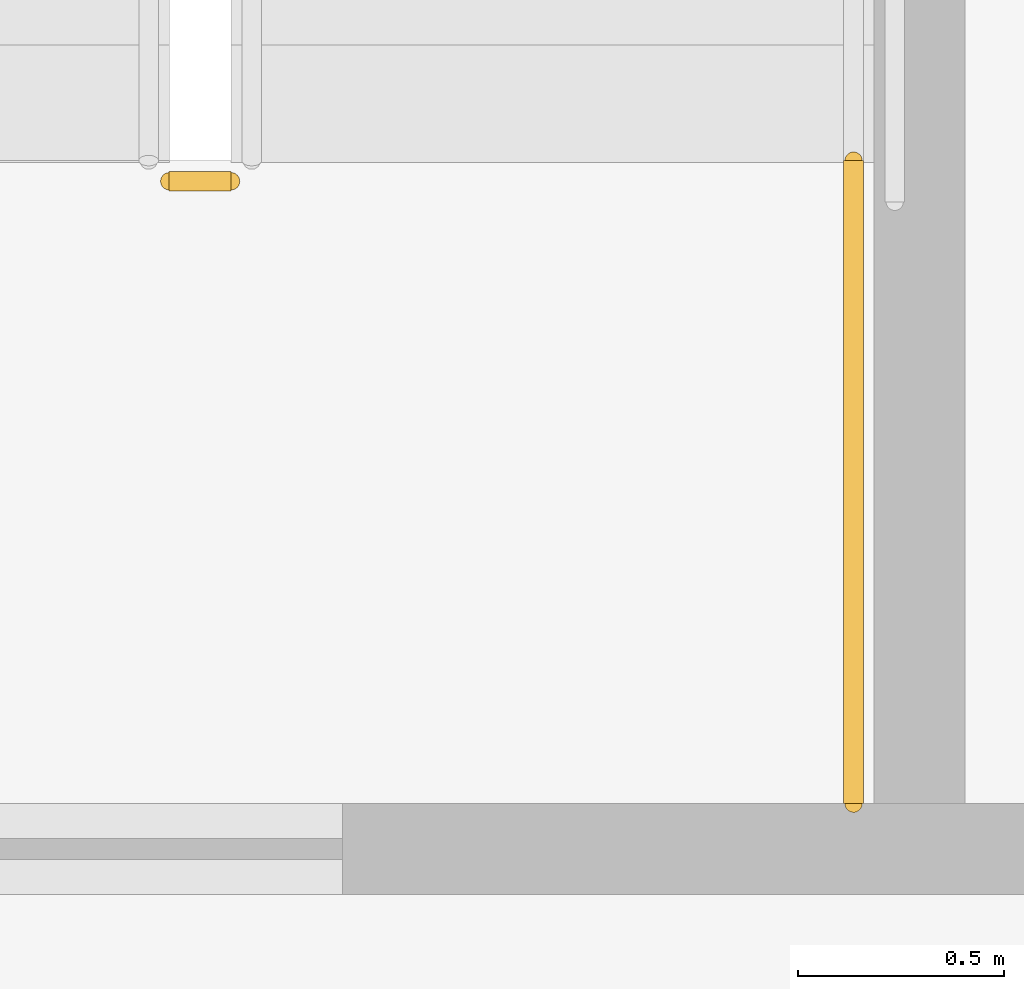
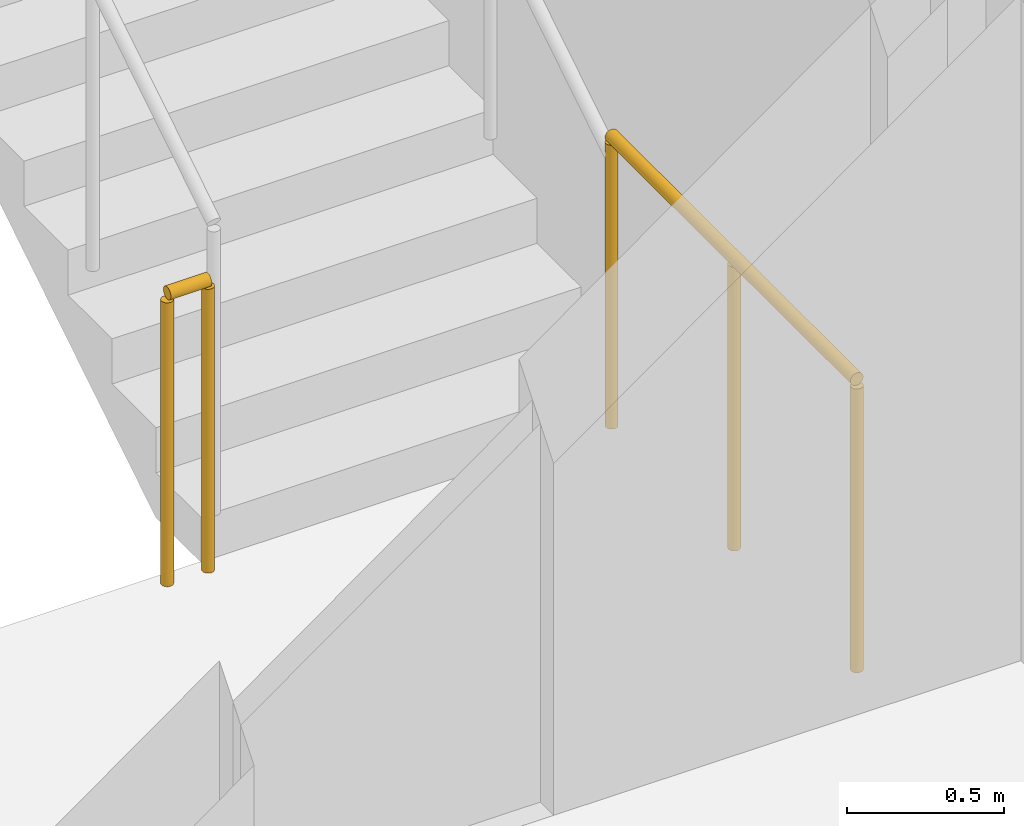
# One storey, part 13 of 16: 2 railings.
"""IFC4 building model written with IfcOpenShell, lengths in metres."""

import ifcopenshell
import ifcopenshell.guid

model = None  # the IFC model being written
_history = None  # IfcOwnerHistory: only IFC2X3 demands one
_inside = {}  # id of a spatial element -> (the spatial element, [elements in it])
_under = {}  # id of a project, library or spatial element -> (it, [spatial elements below it])
_declared = {}  # id of a project -> (the project, [libraries it declares])
_typed = {}  # id of a type object -> (the type object, [elements of that type])
_made_of = {}  # id of a material, layer set ... -> (it, [elements and type objects made of it])


def new_model(schema):
    """Start an empty IFC model of exactly this schema.

    Asked for "IFC4X3", IfcOpenShell would pick the latest addendum, in which some entities
    have other attributes; the version numbers below select the first issue.
    IFC2X3 requires an IfcOwnerHistory on every rooted entity: one is made here for all.
    """
    global model, _history
    if schema == "IFC4X3":
        model = ifcopenshell.file(schema_version=(4, 3, 0, 0))
    else:
        model = ifcopenshell.file(schema=schema)
    _inside.clear()
    _under.clear()
    _declared.clear()
    _typed.clear()
    _made_of.clear()
    _history = None
    if model.schema == "IFC2X3":
        org = make("IfcOrganization", Name="unknown")
        user = make(
            "IfcPersonAndOrganization",
            ThePerson=make("IfcPerson", FamilyName="unknown"),
            TheOrganization=org,
        )
        app = make(
            "IfcApplication",
            ApplicationDeveloper=org,
            Version="unknown",
            ApplicationFullName="unknown",
            ApplicationIdentifier="unknown",
        )
        _history = make(
            "IfcOwnerHistory",
            OwningUser=user,
            OwningApplication=app,
            ChangeAction="ADDED",
            CreationDate=0,
        )
    return model


def make(cls, **values):
    """One entity of the class cls with the attributes given. An attribute that is None is left unset."""
    return model.create_entity(
        cls, **{name: value for name, value in values.items() if value is not None}
    )


def rooted(cls, **values):
    """An entity with a GlobalId (a new one), such as an element, a storey or a relation."""
    return make(cls, GlobalId=ifcopenshell.guid.new(), OwnerHistory=_history, **values)


def si_unit(unit_type, name, prefix=None):
    """IfcSIUnit, for example si_unit("LENGTHUNIT", "METRE", prefix="MILLI")."""
    return make("IfcSIUnit", UnitType=unit_type, Prefix=prefix, Name=name)


def assignment(units):
    """IfcUnitAssignment: the units of a project."""
    return None if units is None else make("IfcUnitAssignment", Units=units)


def point(xyz):
    """IfcCartesianPoint."""
    return None if xyz is None else make("IfcCartesianPoint", Coordinates=xyz)


def direction(xyz):
    """IfcDirection."""
    return None if xyz is None else make("IfcDirection", DirectionRatios=xyz)


def frame(location, z_axis=None, x_axis=None):
    """IfcAxis2Placement3D, a coordinate frame: its origin and axes. An axis left out is left unset."""
    return make(
        "IfcAxis2Placement3D",
        Location=point(location),
        Axis=direction(z_axis),
        RefDirection=direction(x_axis),
    )


def frame_2d(location, x_axis=None):
    """IfcAxis2Placement2D, a coordinate frame in the plane: its origin and x axis."""
    return make(
        "IfcAxis2Placement2D", Location=point(location), RefDirection=direction(x_axis)
    )


def origin():
    """The frame at (0, 0, 0) with its axes left unset."""
    return frame((0.0, 0.0, 0.0))


def origin_2d():
    """The frame at (0, 0) in the plane with its x axis left unset."""
    return frame_2d((0.0, 0.0))


def place(relative_to, where):
    """IfcLocalPlacement: puts the frame where relative to a parent placement (None: the world)."""
    return make(
        "IfcLocalPlacement", PlacementRelTo=relative_to, RelativePlacement=where
    )


def context(
    kind, dimensions, precision=None, world=None, true_north=None, identifier=None
):
    """IfcGeometricRepresentationContext, for example the 3D "Model" context."""
    return make(
        "IfcGeometricRepresentationContext",
        ContextIdentifier=identifier,
        ContextType=kind,
        CoordinateSpaceDimension=dimensions,
        Precision=precision,
        WorldCoordinateSystem=world,
        TrueNorth=true_north,
    )


def subcontext(parent, identifier, kind, view, scale=None):
    """IfcGeometricRepresentationSubContext, for example "Body" below "Model"."""
    return make(
        "IfcGeometricRepresentationSubContext",
        ContextIdentifier=identifier,
        ContextType=kind,
        ParentContext=parent,
        TargetScale=scale,
        TargetView=view,
    )


def project(units=None, contexts=None):
    """IfcProject with its units and contexts."""
    return rooted(
        "IfcProject",
        Name="project",
        RepresentationContexts=contexts,
        UnitsInContext=assignment(units),
    )


def spatial(cls, under=None, at=None, **own):
    """A site, building, storey or space (cls), placed at a placement, below another one or the project."""
    s = rooted(cls, ObjectPlacement=at, **own)
    if under is not None:
        _under.setdefault(under.id(), (under, []))[1].append(s)
    return s


def profile(cls, at=None, kind="AREA", **sizes):
    """A parametric profile (cls). Its sizes go by their IFC names, for example OverallWidth=200.0."""
    return make(cls, ProfileType=kind, Position=at, **sizes)


def circle(**sizes):
    """IfcCircleProfileDef."""
    return profile("IfcCircleProfileDef", **sizes)


def extrude(swept, where, along, depth):
    """IfcExtrudedAreaSolid: the profile swept, set in the frame where, extruded along a direction by depth."""
    return make(
        "IfcExtrudedAreaSolid",
        SweptArea=swept,
        Position=where,
        ExtrudedDirection=direction(along),
        Depth=depth,
    )


def shape(context_of_items, identifier, shape_type, items):
    """IfcShapeRepresentation: the items that make up one representation, for example the "Body"."""
    return make(
        "IfcShapeRepresentation",
        ContextOfItems=context_of_items,
        RepresentationIdentifier=identifier,
        RepresentationType=shape_type,
        Items=items,
    )


def material(Name=None, Category=None):
    """IfcMaterial."""
    return make("IfcMaterial", Name=Name, Category=Category)


def made_of(thing, what):
    """Note that an element or type object is made of a material, layer set ...; save() writes the relation."""
    if what is not None:
        _made_of.setdefault(what.id(), (what, []))[1].append(thing)
    return thing


def type_object(cls, material=None, **own):
    """A type object (cls), such as IfcWallType, which elements share."""
    return made_of(rooted(cls, **own), material)


def element(
    cls,
    number,
    at=None,
    inside=None,
    cuts=None,
    type_object=None,
    material=None,
    context=None,
    identifier="Body",
    shape_type=None,
    held_by="IfcProductDefinitionShape",
    body=None,
    shapes=None,
    **own,
):
    """One element of the class cls, such as IfcWall. Its Tag is "e" and its number.

    at: its placement. inside: the storey or other place that contains it. cuts: it is an
    opening in that element (IfcRelVoidsElement). A single representation is given by context,
    identifier, shape_type and body (its items); several are given by shapes. held_by: the class
    of the entity that holds the representations. save() writes the other relations.
    """
    e = rooted(cls, Tag="e%d" % number, ObjectPlacement=at, **own)
    if body is not None:
        shapes = [shape(context, identifier, shape_type, body)]
    if shapes is not None:
        e.Representation = make(held_by, Representations=shapes)
    if inside is not None:
        _inside.setdefault(inside.id(), (inside, []))[1].append(e)
    if cuts is not None:
        rooted(
            "IfcRelVoidsElement", RelatingBuildingElement=cuts, RelatedOpeningElement=e
        )
    if type_object is not None:
        _typed.setdefault(type_object.id(), (type_object, []))[1].append(e)
    return made_of(e, material)


def aggregate(whole, parts):
    """IfcRelAggregates: a whole, such as a stair, and the parts it consists of."""
    return rooted("IfcRelAggregates", RelatingObject=whole, RelatedObjects=parts)


def save(model, path):
    """Write the relations noted so far, then the file.

    IfcRelAggregates (storeys below a building ...), IfcRelContainedInSpatialStructure (elements
    in a storey), IfcRelDefinesByType, IfcRelAssociatesMaterial and IfcRelDeclares: one each for
    every whole, place, type object, material and project.
    """
    for whole, parts in _under.values():
        aggregate(whole, parts)
    for where, things in _inside.values():
        rooted(
            "IfcRelContainedInSpatialStructure",
            RelatedElements=things,
            RelatingStructure=where,
        )
    for kind, things in _typed.values():
        rooted("IfcRelDefinesByType", RelatedObjects=things, RelatingType=kind)
    for what, things in _made_of.values():
        rooted("IfcRelAssociatesMaterial", RelatedObjects=things, RelatingMaterial=what)
    for by, libraries in _declared.values():
        rooted("IfcRelDeclares", RelatingContext=by, RelatedDefinitions=libraries)
    model.write(path)


model = new_model("IFC4")

# Units and contexts
model_context = context("Model", 3, precision=1e-05, world=origin(), true_north=direction((0.0, 1.0)))
body_context = subcontext(model_context, "Body", "Model", "MODEL_VIEW")
ifc_project = project(units=[si_unit("LENGTHUNIT", "METRE"), si_unit("AREAUNIT", "SQUARE_METRE"), si_unit("VOLUMEUNIT", "CUBIC_METRE"), si_unit("PLANEANGLEUNIT", "RADIAN"), si_unit("MASSUNIT", "GRAM", prefix="KILO")], contexts=[model_context])

# Site, building, storey
site_placement = place(None, origin())
site = spatial("IfcSite", under=ifc_project, at=site_placement, CompositionType="ELEMENT")
building_placement = place(site_placement, origin())
building = spatial("IfcBuilding", under=site, at=building_placement, Name="Khairoan Windgate Tower", CompositionType="ELEMENT")
storey_placement = place(building_placement, frame((0.0, 0.0, 80.60009765625)))
storey = spatial("IfcBuildingStorey", under=building, at=storey_placement, Name="L19", CompositionType="ELEMENT", Elevation=80.60009765625)

# Railings
ifc_material = material(Name="Steel S355", Category="steel")
railing_type = type_object("IfcRailingType", Name="Stairwell Safety Guardrail SGR-1150", PredefinedType="GUARDRAIL", material=ifc_material)
railing_1_placement = place(storey_placement, frame((-17.7099609375, 2.909912109375, 0.0)))
element("IfcRailing", 1, at=railing_1_placement, inside=storey, type_object=railing_type, Name="L19 ST2 stair guard 7", PredefinedType="GUARDRAIL", context=body_context, shape_type="SweptSolid", body=[
    extrude(circle(Radius=0.02392578125, at=origin_2d()), frame((0.0, 0.0, 1.1259765625), z_axis=(-1.0, 0.0, 0.0), x_axis=(0.0, -1.0, 0.0)), (0.0, 0.0, 1.0), 0.150146484375),
    extrude(circle(Radius=0.02099609375, at=origin_2d()), origin(), (0.0, 0.0, 1.0), 1.101806640625),
    extrude(circle(Radius=0.02099609375, at=origin_2d()), frame((-0.150146484375, 0.0, 0.0)), (0.0, 0.0, 1.0), 1.101806640625),
])
railing_2_placement = place(storey_placement, frame((-16.199951171875, 1.39990234375, 0.0)))
element("IfcRailing", 2, at=railing_2_placement, inside=storey, type_object=railing_type, Name="L19 ST2 stair guard 8", PredefinedType="GUARDRAIL", context=body_context, shape_type="SweptSolid", body=[
    extrude(circle(Radius=0.02392578125, at=origin_2d()), frame((0.0, 0.0, 1.1259765625), z_axis=(0.0, 1.0, 0.0), x_axis=(-1.0, 0.0, 0.0)), (0.0, 0.0, 1.0), 1.56005859375),
    extrude(circle(Radius=0.02099609375, at=origin_2d()), origin(), (0.0, 0.0, 1.0), 1.101806640625),
    extrude(circle(Radius=0.02099609375, at=origin_2d()), frame((0.0, 0.780029296875, 0.0)), (0.0, 0.0, 1.0), 1.101806640625),
    extrude(circle(Radius=0.02099609375, at=origin_2d()), frame((0.0, 1.56005859375, 0.0)), (0.0, 0.0, 1.0), 1.101806640625),
])

save(model, "model.ifc")
